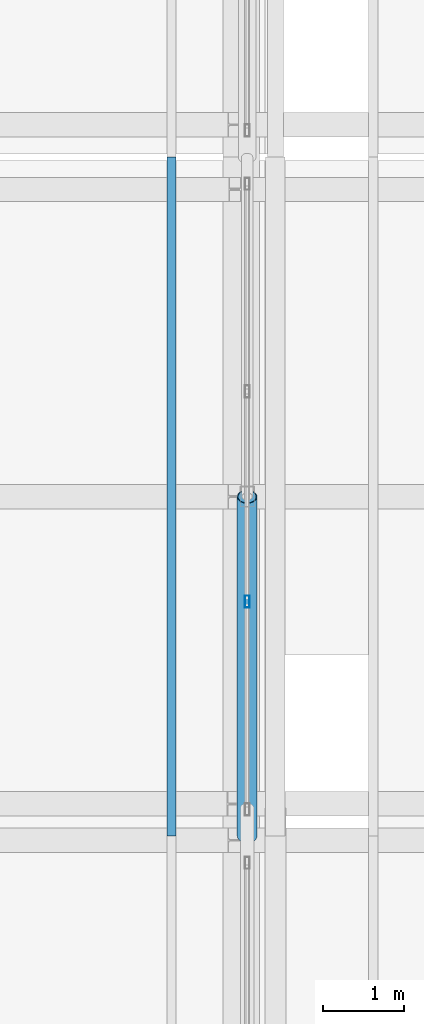
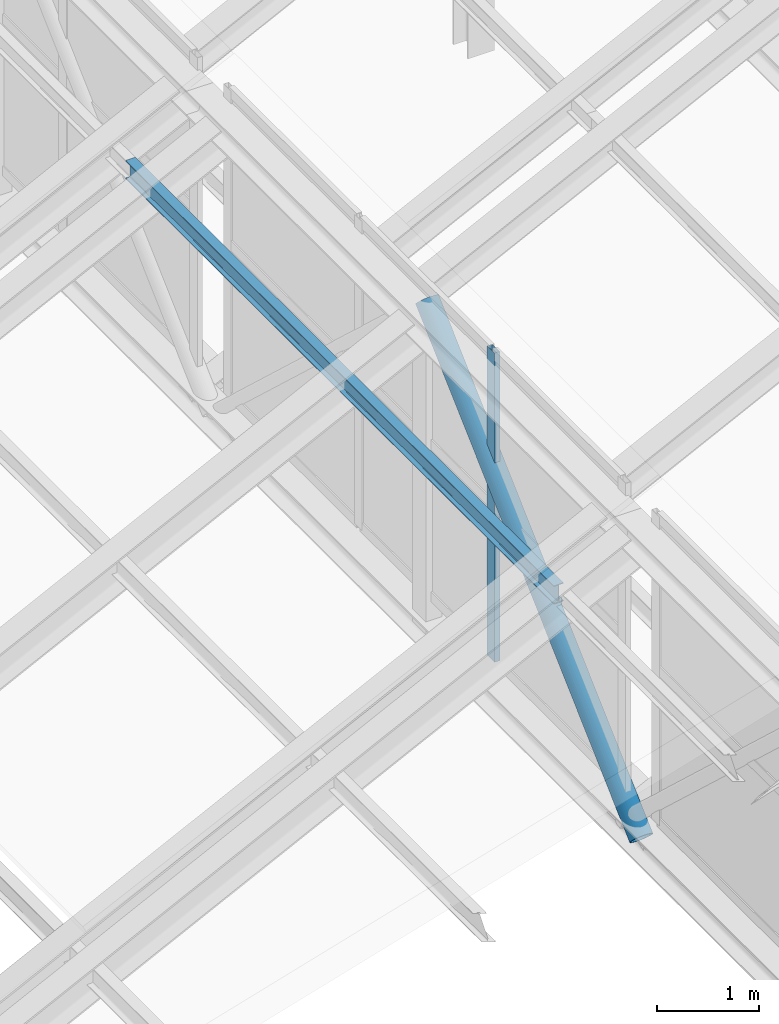
# One storey, part 18 of 101: 3 members, 1 element without a shape of its own.
"""IFC4 building model written with IfcOpenShell, lengths in metres."""

from ifc_helpers import new_model, si_unit, direction, frame, origin, origin_2d, place, context, subcontext, project, spatial, hollow_rectangle, hollow_circle, i_section, extrude, material, layer, layer_set, material_profile, profile_set, type_object, element, aggregate, save


model = new_model("IFC4")

# Units and contexts
model_context = context("Model", 3, precision=1e-05, world=origin(), true_north=direction((0.0, 1.0)))
body_context = subcontext(model_context, "Body", "Model", "MODEL_VIEW")
ifc_project = project(units=[si_unit("LENGTHUNIT", "METRE"), si_unit("AREAUNIT", "SQUARE_METRE"), si_unit("VOLUMEUNIT", "CUBIC_METRE"), si_unit("PLANEANGLEUNIT", "RADIAN"), si_unit("MASSUNIT", "GRAM", prefix="KILO")], contexts=[model_context])

# Site, building, storey
site_placement = place(None, origin())
site = spatial("IfcSite", under=ifc_project, at=site_placement, CompositionType="ELEMENT")
building_placement = place(site_placement, origin())
building = spatial("IfcBuilding", under=site, at=building_placement, Name="Zizhar Promenade General Hospital", CompositionType="ELEMENT")
storey_placement = place(building_placement, frame((0.0, 0.0, 14.39990234375)))
storey = spatial("IfcBuildingStorey", under=building, at=storey_placement, Name="L03", CompositionType="ELEMENT", Elevation=14.39990234375)

# Curtain wall, member
ifc_material_1 = material(Name="Anodised aluminium 6063-T6 and low-E glass", Category="aluminium")
ifc_layer = layer(ifc_material_1, 0.159912109375)
ifc_layer_set = layer_set([ifc_layer], Name="Anodised aluminium 6063-T6 and low-E glass")
curtain_wall_type = type_object("IfcCurtainWallType", Name="CW-SAW-NL2", PredefinedType="NOTDEFINED", material=ifc_layer_set)
curtain_wall_placement = place(storey_placement, origin())
curtain_wall = element("IfcCurtainWall", 1, at=curtain_wall_placement, inside=storey, type_object=curtain_wall_type, Name="Sawtooth Clerestory Light B1-S2", PredefinedType="NOTDEFINED")
ifc_material_2 = material(Name="Anodised aluminium 6063-T6", Category="aluminium")
ifc_material_profile_1 = material_profile(ifc_material_2, hollow_rectangle(XDim=0.06005859375, YDim=0.14990234375, WallThickness=0.00390625, at=origin_2d()))
ifc_profile_set_1 = profile_set([ifc_material_profile_1], Name="Anodised aluminium 6063-T6")
member_type_1 = type_object("IfcMemberType", Name="CWM-ALU-150x60", PredefinedType="MULLION", material=ifc_profile_set_1)
member_1_placement = place(storey_placement, frame((78.0, 36.5, 3.85009765625), z_axis=(0.0, 0.0, 1.0), x_axis=(-1.0, 0.0, 0.0)))
member_1 = element("IfcMember", 2, at=member_1_placement, type_object=member_type_1, Name="CW-04 mullion 2", PredefinedType="MULLION", context=body_context, shape_type="SweptSolid", body=[
    extrude(hollow_rectangle(XDim=0.06005859375, YDim=0.14990234375, WallThickness=0.00390625, at=origin_2d()), origin(), (0.0, 0.0, 1.0), 3.699951171875),
])
aggregate(curtain_wall, [member_1])

# Members
ifc_material_3 = material(Name="Steel S355", Category="steel")
ifc_material_profile_2 = material_profile(ifc_material_3, hollow_circle(Radius=0.122314453125, WallThickness=0.010009765625, at=origin_2d()))
ifc_profile_set_2 = profile_set([ifc_material_profile_2], Name="Steel S355")
member_type_2 = type_object("IfcMemberType", Name="MEM-DIAG-CHS245", PredefinedType="BRACE", material=ifc_profile_set_2)
member_2_placement = place(storey_placement, frame((78.0, 33.60009765625, 3.4501953125), z_axis=(0.0, 0.732798043082, 0.680446197767), x_axis=(-1.0, 0.0, 0.0)))
element("IfcMember", 3, at=member_2_placement, inside=storey, type_object=member_type_2, Name="Sawtooth Truss Frame 2 Diagonal A2", PredefinedType="BRACE", context=body_context, shape_type="SweptSolid", body=[
    extrude(hollow_circle(Radius=0.122314453125, WallThickness=0.010009765625, at=origin_2d()), origin(), (0.0, 0.0, 1.0), 5.7314453125),
])
ifc_material_4 = material(Name="Steel S355", Category="steel")
ifc_material_profile_3 = material_profile(ifc_material_4, i_section(OverallWidth=0.110107421875, OverallDepth=0.219970703125, WebThickness=0.005859375, FlangeThickness=0.00927734375, FilletRadius=0.011962890625, at=origin_2d()))
ifc_profile_set_3 = profile_set([ifc_material_profile_3], Name="Steel S355")
member_type_3 = type_object("IfcMemberType", Name="MEM-PURL-IPE220", PredefinedType="PURLIN", material=ifc_profile_set_3)
member_3_placement = place(storey_placement, frame((77.06396484375, 33.60009765625, 6.705078125), z_axis=(0.0, 1.0, 0.0), x_axis=(-1.0, 0.0, 0.0)))
element("IfcMember", 4, at=member_3_placement, inside=storey, type_object=member_type_3, Name="Sawtooth Bay 1 Purlin 2-3", PredefinedType="PURLIN", context=body_context, shape_type="SweptSolid", body=[
    extrude(i_section(OverallWidth=0.110107421875, OverallDepth=0.219970703125, WebThickness=0.005859375, FlangeThickness=0.00927734375, FilletRadius=0.011962890625, at=origin_2d()), origin(), (0.0, 0.0, 1.0), 8.39990234375),
])

save(model, "model.ifc")
